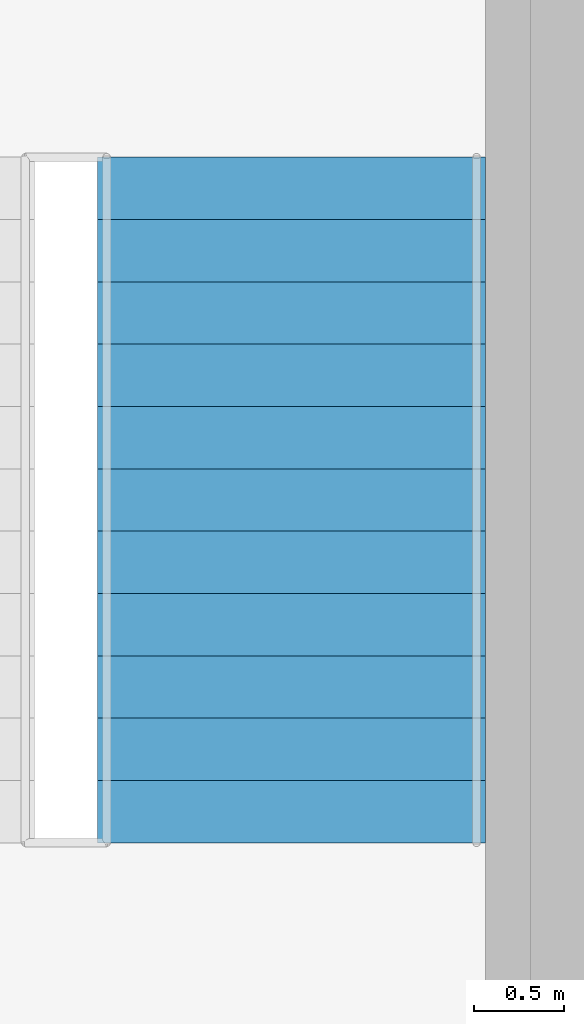
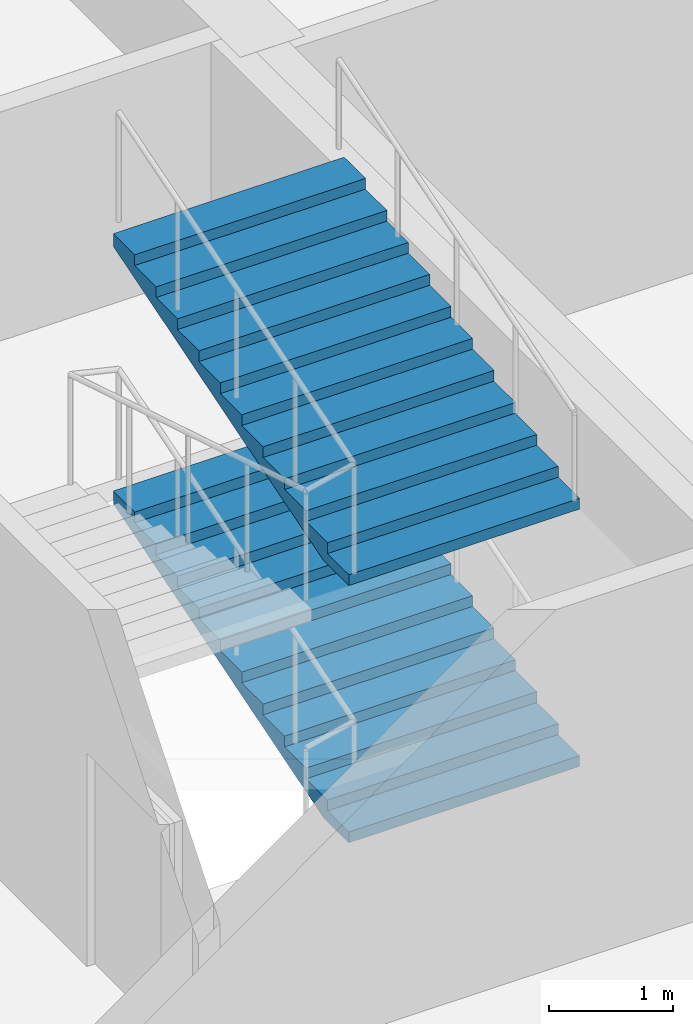
# One storey, part 10 of 13: 2 stair flights, 1 element without a shape of its own.
"""IFC4 building model written with IfcOpenShell, lengths in metres."""

import ifcopenshell
import ifcopenshell.guid

model = None  # the IFC model being written
_history = None  # IfcOwnerHistory: only IFC2X3 demands one
_inside = {}  # id of a spatial element -> (the spatial element, [elements in it])
_under = {}  # id of a project, library or spatial element -> (it, [spatial elements below it])
_declared = {}  # id of a project -> (the project, [libraries it declares])
_typed = {}  # id of a type object -> (the type object, [elements of that type])
_made_of = {}  # id of a material, layer set ... -> (it, [elements and type objects made of it])


def new_model(schema):
    """Start an empty IFC model of exactly this schema.

    Asked for "IFC4X3", IfcOpenShell would pick the latest addendum, in which some entities
    have other attributes; the version numbers below select the first issue.
    IFC2X3 requires an IfcOwnerHistory on every rooted entity: one is made here for all.
    """
    global model, _history
    if schema == "IFC4X3":
        model = ifcopenshell.file(schema_version=(4, 3, 0, 0))
    else:
        model = ifcopenshell.file(schema=schema)
    _inside.clear()
    _under.clear()
    _declared.clear()
    _typed.clear()
    _made_of.clear()
    _history = None
    if model.schema == "IFC2X3":
        org = make("IfcOrganization", Name="unknown")
        user = make(
            "IfcPersonAndOrganization",
            ThePerson=make("IfcPerson", FamilyName="unknown"),
            TheOrganization=org,
        )
        app = make(
            "IfcApplication",
            ApplicationDeveloper=org,
            Version="unknown",
            ApplicationFullName="unknown",
            ApplicationIdentifier="unknown",
        )
        _history = make(
            "IfcOwnerHistory",
            OwningUser=user,
            OwningApplication=app,
            ChangeAction="ADDED",
            CreationDate=0,
        )
    return model


def make(cls, **values):
    """One entity of the class cls with the attributes given. An attribute that is None is left unset."""
    return model.create_entity(
        cls, **{name: value for name, value in values.items() if value is not None}
    )


def rooted(cls, **values):
    """An entity with a GlobalId (a new one), such as an element, a storey or a relation."""
    return make(cls, GlobalId=ifcopenshell.guid.new(), OwnerHistory=_history, **values)


def si_unit(unit_type, name, prefix=None):
    """IfcSIUnit, for example si_unit("LENGTHUNIT", "METRE", prefix="MILLI")."""
    return make("IfcSIUnit", UnitType=unit_type, Prefix=prefix, Name=name)


def assignment(units):
    """IfcUnitAssignment: the units of a project."""
    return None if units is None else make("IfcUnitAssignment", Units=units)


def point(xyz):
    """IfcCartesianPoint."""
    return None if xyz is None else make("IfcCartesianPoint", Coordinates=xyz)


def direction(xyz):
    """IfcDirection."""
    return None if xyz is None else make("IfcDirection", DirectionRatios=xyz)


def frame(location, z_axis=None, x_axis=None):
    """IfcAxis2Placement3D, a coordinate frame: its origin and axes. An axis left out is left unset."""
    return make(
        "IfcAxis2Placement3D",
        Location=point(location),
        Axis=direction(z_axis),
        RefDirection=direction(x_axis),
    )


def origin():
    """The frame at (0, 0, 0) with its axes left unset."""
    return frame((0.0, 0.0, 0.0))


def place(relative_to, where):
    """IfcLocalPlacement: puts the frame where relative to a parent placement (None: the world)."""
    return make(
        "IfcLocalPlacement", PlacementRelTo=relative_to, RelativePlacement=where
    )


def context(
    kind, dimensions, precision=None, world=None, true_north=None, identifier=None
):
    """IfcGeometricRepresentationContext, for example the 3D "Model" context."""
    return make(
        "IfcGeometricRepresentationContext",
        ContextIdentifier=identifier,
        ContextType=kind,
        CoordinateSpaceDimension=dimensions,
        Precision=precision,
        WorldCoordinateSystem=world,
        TrueNorth=true_north,
    )


def subcontext(parent, identifier, kind, view, scale=None):
    """IfcGeometricRepresentationSubContext, for example "Body" below "Model"."""
    return make(
        "IfcGeometricRepresentationSubContext",
        ContextIdentifier=identifier,
        ContextType=kind,
        ParentContext=parent,
        TargetScale=scale,
        TargetView=view,
    )


def project(units=None, contexts=None):
    """IfcProject with its units and contexts."""
    return rooted(
        "IfcProject",
        Name="project",
        RepresentationContexts=contexts,
        UnitsInContext=assignment(units),
    )


def spatial(cls, under=None, at=None, **own):
    """A site, building, storey or space (cls), placed at a placement, below another one or the project."""
    s = rooted(cls, ObjectPlacement=at, **own)
    if under is not None:
        _under.setdefault(under.id(), (under, []))[1].append(s)
    return s


def polyline(points):
    """IfcPolyline through the points."""
    return make("IfcPolyline", Points=[point(p) for p in points])


def outline(outer, holes=None, kind="AREA"):
    """IfcArbitraryClosedProfileDef: a profile drawn as a closed curve; with holes, ...WithVoids."""
    if holes is None:
        return make("IfcArbitraryClosedProfileDef", ProfileType=kind, OuterCurve=outer)
    return make(
        "IfcArbitraryProfileDefWithVoids",
        ProfileType=kind,
        OuterCurve=outer,
        InnerCurves=holes,
    )


def extrude(swept, where, along, depth):
    """IfcExtrudedAreaSolid: the profile swept, set in the frame where, extruded along a direction by depth."""
    return make(
        "IfcExtrudedAreaSolid",
        SweptArea=swept,
        Position=where,
        ExtrudedDirection=direction(along),
        Depth=depth,
    )


def shape(context_of_items, identifier, shape_type, items):
    """IfcShapeRepresentation: the items that make up one representation, for example the "Body"."""
    return make(
        "IfcShapeRepresentation",
        ContextOfItems=context_of_items,
        RepresentationIdentifier=identifier,
        RepresentationType=shape_type,
        Items=items,
    )


def source(mapping_origin, context_of_items, identifier, shape_type, items):
    """IfcRepresentationMap: a shape defined once, which mapped items show again and again."""
    return make(
        "IfcRepresentationMap",
        MappingOrigin=mapping_origin,
        MappedRepresentation=shape(context_of_items, identifier, shape_type, items),
    )


def transform(
    local_origin,
    x_axis=None,
    y_axis=None,
    z_axis=None,
    scale=None,
    scale2=None,
    scale3=None,
    uniform=True,
):
    """IfcCartesianTransformationOperator3D, or its non-uniform kind. x_axis, y_axis, z_axis: its Axis1, 2, 3."""
    if uniform:
        return make(
            "IfcCartesianTransformationOperator3D",
            Axis1=direction(x_axis),
            Axis2=direction(y_axis),
            LocalOrigin=point(local_origin),
            Scale=scale,
            Axis3=direction(z_axis),
        )
    return make(
        "IfcCartesianTransformationOperator3DnonUniform",
        Axis1=direction(x_axis),
        Axis2=direction(y_axis),
        LocalOrigin=point(local_origin),
        Scale=scale,
        Axis3=direction(z_axis),
        Scale2=scale2,
        Scale3=scale3,
    )


def mapped(mapping_source, mapping_target):
    """IfcMappedItem: shows the shape of a source again, moved by a transform."""
    return make(
        "IfcMappedItem", MappingSource=mapping_source, MappingTarget=mapping_target
    )


def material(Name=None, Category=None):
    """IfcMaterial."""
    return make("IfcMaterial", Name=Name, Category=Category)


def made_of(thing, what):
    """Note that an element or type object is made of a material, layer set ...; save() writes the relation."""
    if what is not None:
        _made_of.setdefault(what.id(), (what, []))[1].append(thing)
    return thing


def type_object(cls, material=None, **own):
    """A type object (cls), such as IfcWallType, which elements share."""
    return made_of(rooted(cls, **own), material)


def element(
    cls,
    number,
    at=None,
    inside=None,
    cuts=None,
    type_object=None,
    material=None,
    context=None,
    identifier="Body",
    shape_type=None,
    held_by="IfcProductDefinitionShape",
    body=None,
    shapes=None,
    **own,
):
    """One element of the class cls, such as IfcWall. Its Tag is "e" and its number.

    at: its placement. inside: the storey or other place that contains it. cuts: it is an
    opening in that element (IfcRelVoidsElement). A single representation is given by context,
    identifier, shape_type and body (its items); several are given by shapes. held_by: the class
    of the entity that holds the representations. save() writes the other relations.
    """
    e = rooted(cls, Tag="e%d" % number, ObjectPlacement=at, **own)
    if body is not None:
        shapes = [shape(context, identifier, shape_type, body)]
    if shapes is not None:
        e.Representation = make(held_by, Representations=shapes)
    if inside is not None:
        _inside.setdefault(inside.id(), (inside, []))[1].append(e)
    if cuts is not None:
        rooted(
            "IfcRelVoidsElement", RelatingBuildingElement=cuts, RelatedOpeningElement=e
        )
    if type_object is not None:
        _typed.setdefault(type_object.id(), (type_object, []))[1].append(e)
    return made_of(e, material)


def aggregate(whole, parts):
    """IfcRelAggregates: a whole, such as a stair, and the parts it consists of."""
    return rooted("IfcRelAggregates", RelatingObject=whole, RelatedObjects=parts)


def save(model, path):
    """Write the relations noted so far, then the file.

    IfcRelAggregates (storeys below a building ...), IfcRelContainedInSpatialStructure (elements
    in a storey), IfcRelDefinesByType, IfcRelAssociatesMaterial and IfcRelDeclares: one each for
    every whole, place, type object, material and project.
    """
    for whole, parts in _under.values():
        aggregate(whole, parts)
    for where, things in _inside.values():
        rooted(
            "IfcRelContainedInSpatialStructure",
            RelatedElements=things,
            RelatingStructure=where,
        )
    for kind, things in _typed.values():
        rooted("IfcRelDefinesByType", RelatedObjects=things, RelatingType=kind)
    for what, things in _made_of.values():
        rooted("IfcRelAssociatesMaterial", RelatedObjects=things, RelatingMaterial=what)
    for by, libraries in _declared.values():
        rooted("IfcRelDeclares", RelatingContext=by, RelatedDefinitions=libraries)
    model.write(path)


model = new_model("IFC4")

# Units and contexts
model_context = context("Model", 3, precision=1e-05, world=origin(), true_north=direction((0.0, 1.0)))
body_context = subcontext(model_context, "Body", "Model", "MODEL_VIEW")
ifc_project = project(units=[si_unit("LENGTHUNIT", "METRE"), si_unit("AREAUNIT", "SQUARE_METRE"), si_unit("VOLUMEUNIT", "CUBIC_METRE"), si_unit("PLANEANGLEUNIT", "RADIAN"), si_unit("MASSUNIT", "GRAM", prefix="KILO")], contexts=[model_context])

# Site, building, storey
site_placement = place(None, origin())
site = spatial("IfcSite", under=ifc_project, at=site_placement, CompositionType="ELEMENT")
building_placement = place(site_placement, origin())
building = spatial("IfcBuilding", under=site, at=building_placement, Name="Vanashikhar Sky Hotel", CompositionType="ELEMENT")
storey_placement = place(building_placement, frame((0.0, 0.0, 155.39990234375)))
storey = spatial("IfcBuildingStorey", under=building, at=storey_placement, Name="L37", CompositionType="ELEMENT", Elevation=155.39990234375)

# Stair, stair flights
ifc_material = material(Name="Concrete M40", Category="concrete")
stair_type = type_object("IfcStairType", Name="Exit stair 2150", PredefinedType="DOUBLE_RETURN_STAIR", material=ifc_material)
stair_placement = place(storey_placement, origin())
stair = element("IfcStair", 1, at=stair_placement, inside=storey, type_object=stair_type, Name="L37 Exit stair 4", PredefinedType="DOUBLE_RETURN_STAIR")
stair_flight_type = type_object("IfcStairFlightType", Name="Stair flight 2150", PredefinedType="STRAIGHT", material=ifc_material)
shared_shape = source(origin(), body_context, "Body", "SweptSolid", [
    extrude(outline(polyline([(0.0, 0.0), (0.0, 0.10546875), (0.345458984375, 0.10546875), (0.345458984375, 0.211181640625), (0.69091796875, 0.211181640625), (0.69091796875, 0.316650390625), (1.036376953125, 0.316650390625), (1.036376953125, 0.422119140625), (1.3818359375, 0.422119140625), (1.3818359375, 0.52783203125), (1.727294921875, 0.52783203125), (1.727294921875, 0.63330078125), (2.07275390625, 0.63330078125), (2.07275390625, 0.73876953125), (2.418212890625, 0.73876953125), (2.418212890625, 0.844482421875), (2.763671875, 0.844482421875), (2.763671875, 0.949951171875), (3.109130859375, 0.949951171875), (3.109130859375, 1.0556640625), (3.45458984375, 1.0556640625), (3.45458984375, 1.1611328125), (3.800048828125, 1.1611328125), (3.800048828125, 1.2666015625), (3.800048828125, 1.035400390625), (0.4111328125, 0.0), (0.0, 0.0)])), frame((0.0, 1.074951171875, 0.0), z_axis=(0.0, -1.0, 0.0), x_axis=(1.0, 0.0, 0.0)), (0.0, 0.0, 1.0), 2.14990234375),
])
stair_flight_1_placement = place(storey_placement, frame((82.52490234375, 24.35009765625, 0.0), z_axis=(0.0, 0.0, 1.0), x_axis=(0.0, 1.0, 0.0)))
stair_flight_1 = element("IfcStairFlight", 2, at=stair_flight_1_placement, type_object=stair_flight_type, Name="ST-E flight 1", NumberOfRisers=12, NumberOfTreads=11, PredefinedType="STRAIGHT", RiserHeight=0.105555556, TreadLength=0.345454545, context=body_context, shape_type="MappedRepresentation", body=[
    mapped(shared_shape, transform((0.0, 0.0, 0.0), scale=1.0)),
])
stair_flight_2_placement = place(storey_placement, frame((82.52490234375, 24.35009765625, 2.533447265625), z_axis=(0.0, 0.0, 1.0), x_axis=(0.0, 1.0, 0.0)))
stair_flight_2 = element("IfcStairFlight", 3, at=stair_flight_2_placement, type_object=stair_flight_type, Name="ST-E flight 3", NumberOfRisers=12, NumberOfTreads=11, PredefinedType="STRAIGHT", RiserHeight=0.105555556, TreadLength=0.345454545, context=body_context, shape_type="MappedRepresentation", body=[
    mapped(shared_shape, transform((0.0, 0.0, 0.0), scale=1.0)),
])
aggregate(stair, [stair_flight_1, stair_flight_2])

save(model, "model.ifc")
